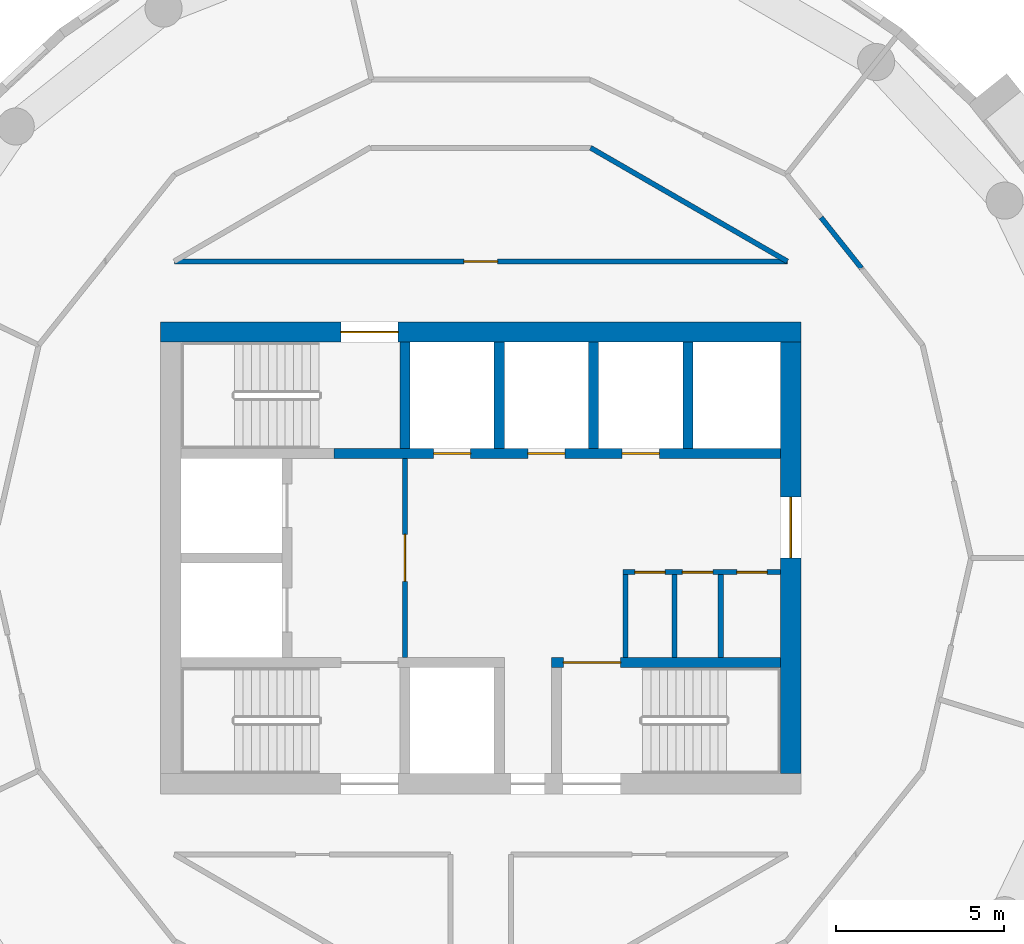
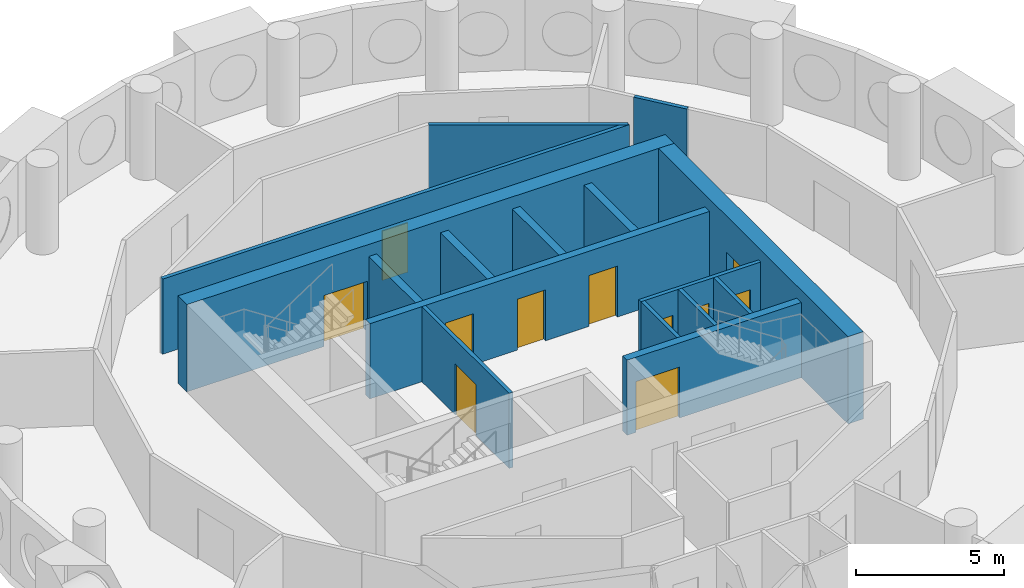
# One storey, part 8 of 13: 16 walls, 11 doors, 11 openings.
"""IFC4 building model written with IfcOpenShell, lengths in metres."""

from ifc_helpers import new_model, si_unit, direction, frame, frame_2d, origin, place, context, subcontext, project, spatial, rectangle, extrude, material, layer, layer_set, type_object, element, fill, save


model = new_model("IFC4")

# Units and contexts
model_context = context("Model", 3, precision=1e-05, world=origin(), true_north=direction((0.0, 1.0)))
body_context = subcontext(model_context, "Body", "Model", "MODEL_VIEW")
ifc_project = project(units=[si_unit("LENGTHUNIT", "METRE"), si_unit("AREAUNIT", "SQUARE_METRE"), si_unit("VOLUMEUNIT", "CUBIC_METRE"), si_unit("PLANEANGLEUNIT", "RADIAN"), si_unit("MASSUNIT", "GRAM", prefix="KILO")], contexts=[model_context])

# Site, building, storey
site_placement = place(None, origin())
site = spatial("IfcSite", under=ifc_project, at=site_placement, CompositionType="ELEMENT")
building_placement = place(site_placement, origin())
building = spatial("IfcBuilding", under=site, at=building_placement, Name="Tracery Tower", CompositionType="ELEMENT")
storey_placement = place(building_placement, frame((0.0, 0.0, 274.199951171875)))
storey = spatial("IfcBuildingStorey", under=building, at=storey_placement, Name="L71", CompositionType="ELEMENT", Elevation=274.199951171875)

# Wall, opening, door
ifc_material_1 = material(Name="Plasterboard on steel studs", Category="steel")
ifc_layer_1 = layer(ifc_material_1, 0.14990234375)
ifc_layer_set_1 = layer_set([ifc_layer_1], Name="Core lobby partition 150")
wall_type_1 = type_object("IfcWallType", Name="Core lobby partition 150", PredefinedType="SOLIDWALL", material=ifc_layer_set_1)
wall_1_placement = place(storey_placement, frame((-2.25, -2.949951171875, 0.0), z_axis=(0.0, 0.0, 1.0), x_axis=(0.0, 1.0, 0.0)))
wall_1 = element("IfcWall", 1, at=wall_1_placement, inside=storey, type_object=wall_type_1, Name="L71 FF lobby E", PredefinedType="SOLIDWALL", context=body_context, shape_type="SweptSolid", body=[
    extrude(rectangle(XDim=5.89990234375, YDim=0.14990234375, at=frame_2d((2.949951171875, 0.0))), origin(), (0.0, 0.0, 1.0), 3.10009765625),
])
opening_1_placement = place(wall_1_placement, frame((2.25, 0.0, 0.0)))
opening_1 = element("IfcOpeningElement", 2, at=opening_1_placement, cuts=wall_1, Name="Opening KD8", PredefinedType="OPENING", context=body_context, shape_type="SweptSolid", body=[
    extrude(rectangle(XDim=1.39990234375, YDim=2.10009765625, at=frame_2d((0.699951171875, 1.050048828125))), frame((0.0, 0.074951171875, 0.0), z_axis=(0.0, -1.0, 0.0), x_axis=(1.0, 0.0, 0.0)), (0.0, 0.0, 1.0), 0.14990234375),
])
ifc_material_2 = material(Name="Steel fire door", Category="steel")
door_type_1 = type_object("IfcDoorType", Name="Core lobby door 1400 double", OperationType="NOTDEFINED", PredefinedType="DOOR", material=ifc_material_2)
door_1_placement = place(opening_1_placement, origin())
door_1 = element("IfcDoor", 3, at=door_1_placement, inside=storey, type_object=door_type_1, Name="Fire-fighting lobby door", OperationType="DOUBLE_DOOR_SINGLE_SWING", OverallHeight=2.10009765625, OverallWidth=1.39990234375, PredefinedType="DOOR", context=body_context, shape_type="SweptSolid", body=[
    extrude(rectangle(XDim=1.39990234375, YDim=2.10009765625, at=frame_2d((0.699951171875, 1.050048828125))), frame((0.0, 0.02490234375, 0.0), z_axis=(0.0, -1.0, 0.0), x_axis=(1.0, 0.0, 0.0)), (0.0, 0.0, 1.0), 0.050048828125),
])
fill(opening_1, door_1)

# Wall
ifc_material_3 = material(Name="Plasterboard on steel studs", Category="steel")
ifc_layer_2 = layer(ifc_material_3, 0.14990234375)
ifc_layer_set_2 = layer_set([ifc_layer_2], Name="Core room partition 150")
wall_type_2 = type_object("IfcWallType", Name="Core room partition 150", PredefinedType="SOLIDWALL", material=ifc_layer_set_2)
wall_2_placement = place(storey_placement, frame((4.300048828125, -2.949951171875, 0.0), z_axis=(0.0, 0.0, 1.0), x_axis=(0.0, 1.0, 0.0)))
element("IfcWall", 4, at=wall_2_placement, inside=storey, type_object=wall_type_2, Name="L71 slot W", PredefinedType="SOLIDWALL", context=body_context, shape_type="SweptSolid", body=[
    extrude(rectangle(XDim=2.449951171875, YDim=0.14990234375, at=frame_2d((1.22509765625, 0.0))), origin(), (0.0, 0.0, 1.0), 3.10009765625),
])

# Wall, openings, doors
wall_3_placement = place(storey_placement, frame((4.22509765625, -0.425048828125, 0.0), z_axis=(0.0, 0.0, 1.0), x_axis=(1.0, 0.0, 0.0)))
wall_3 = element("IfcWall", 5, at=wall_3_placement, inside=storey, type_object=wall_type_2, Name="L71 slot N", PredefinedType="SOLIDWALL", context=body_context, shape_type="SweptSolid", body=[
    extrude(rectangle(XDim=4.6748046875, YDim=0.14990234375, at=frame_2d((2.33740234375, 0.0))), origin(), (0.0, 0.0, 1.0), 3.10009765625),
])
opening_2_placement = place(wall_3_placement, frame((0.35009765625, 0.0, 0.0)))
opening_2 = element("IfcOpeningElement", 6, at=opening_2_placement, cuts=wall_3, Name="Opening KD27", PredefinedType="OPENING", context=body_context, shape_type="SweptSolid", body=[
    extrude(rectangle(XDim=0.89990234375, YDim=2.10009765625, at=frame_2d((0.449951171875, 1.050048828125))), frame((0.0, 0.074951171875, 0.0), z_axis=(0.0, -1.0, 0.0), x_axis=(1.0, 0.0, 0.0)), (0.0, 0.0, 1.0), 0.14990234375),
])
opening_3_placement = place(wall_3_placement, frame((1.762451171875, 0.0, 0.0)))
opening_3 = element("IfcOpeningElement", 7, at=opening_3_placement, cuts=wall_3, Name="Opening KD26", PredefinedType="OPENING", context=body_context, shape_type="SweptSolid", body=[
    extrude(rectangle(XDim=0.89990234375, YDim=2.10009765625, at=frame_2d((0.449951171875, 1.050048828125))), frame((0.0, 0.074951171875, 0.0), z_axis=(0.0, -1.0, 0.0), x_axis=(1.0, 0.0, 0.0)), (0.0, 0.0, 1.0), 0.14990234375),
])
opening_4_placement = place(wall_3_placement, frame((3.375, 0.0, 0.0)))
opening_4 = element("IfcOpeningElement", 8, at=opening_4_placement, cuts=wall_3, Name="Opening KD22", PredefinedType="OPENING", context=body_context, shape_type="SweptSolid", body=[
    extrude(rectangle(XDim=0.89990234375, YDim=2.10009765625, at=frame_2d((0.449951171875, 1.050048828125))), frame((0.0, 0.074951171875, 0.0), z_axis=(0.0, -1.0, 0.0), x_axis=(1.0, 0.0, 0.0)), (0.0, 0.0, 1.0), 0.14990234375),
])
ifc_material_4 = material(Name="Timber door leaf", Category="wood")
door_type_2 = type_object("IfcDoorType", Name="Core WC door 900", OperationType="NOTDEFINED", PredefinedType="DOOR", material=ifc_material_4)
door_2_placement = place(opening_4_placement, origin())
door_2 = element("IfcDoor", 9, at=door_2_placement, inside=storey, type_object=door_type_2, Name="Core door", OperationType="SINGLE_SWING_RIGHT", OverallHeight=2.10009765625, OverallWidth=0.89990234375, PredefinedType="DOOR", context=body_context, shape_type="SweptSolid", body=[
    extrude(rectangle(XDim=0.89990234375, YDim=2.10009765625, at=frame_2d((0.449951171875, 1.050048828125))), frame((0.0, 0.02490234375, 0.0), z_axis=(0.0, -1.0, 0.0), x_axis=(1.0, 0.0, 0.0)), (0.0, 0.0, 1.0), 0.050048828125),
])
fill(opening_4, door_2)
ifc_material_5 = material(Name="Timber door leaf", Category="wood")
door_type_3 = type_object("IfcDoorType", Name="Core store door 900", OperationType="NOTDEFINED", PredefinedType="DOOR", material=ifc_material_5)
door_3_placement = place(opening_2_placement, origin())
door_3 = element("IfcDoor", 10, at=door_3_placement, inside=storey, type_object=door_type_3, Name="Core door", OperationType="SINGLE_SWING_RIGHT", OverallHeight=2.10009765625, OverallWidth=0.89990234375, PredefinedType="DOOR", context=body_context, shape_type="SweptSolid", body=[
    extrude(rectangle(XDim=0.89990234375, YDim=2.10009765625, at=frame_2d((0.449951171875, 1.050048828125))), frame((0.0, 0.02490234375, 0.0), z_axis=(0.0, -1.0, 0.0), x_axis=(1.0, 0.0, 0.0)), (0.0, 0.0, 1.0), 0.050048828125),
])
fill(opening_2, door_3)
door_4_placement = place(opening_3_placement, origin())
door_4 = element("IfcDoor", 11, at=door_4_placement, inside=storey, type_object=door_type_3, Name="Core door", OperationType="SINGLE_SWING_LEFT", OverallHeight=2.10009765625, OverallWidth=0.89990234375, PredefinedType="DOOR", context=body_context, shape_type="SweptSolid", body=[
    extrude(rectangle(XDim=0.89990234375, YDim=2.10009765625, at=frame_2d((0.449951171875, 1.050048828125))), frame((0.0, 0.02490234375, 0.0), z_axis=(0.0, -1.0, 0.0), x_axis=(1.0, 0.0, 0.0)), (0.0, 0.0, 1.0), 0.050048828125),
])
fill(opening_3, door_4)

# Walls
for number, where, z_axis, x_axis, name in (
    (12, (5.75, -2.949951171875, 0.0), (0.0, 0.0, 1.0), (0.0, 1.0, 0.0), "L71 slot sep 1"),
    (13, (7.125, -2.949951171875, 0.0), (0.0, 0.0, 1.0), (0.0, 1.0, 0.0), "L71 slot sep 2"),
):
    element("IfcWall", number, at=place(storey_placement, frame(where, z_axis=z_axis, x_axis=x_axis)), inside=storey, type_object=wall_type_2, Name=name, PredefinedType="SOLIDWALL", context=body_context, shape_type="SweptSolid", body=[
        extrude(rectangle(XDim=2.449951171875, YDim=0.14990234375, at=frame_2d((1.22509765625, 0.0))), origin(), (0.0, 0.0, 1.0), 3.10009765625),
    ])

# Wall, opening, door
ifc_material_6 = material(Name="Concrete C40/50", Category="concrete")
ifc_layer_3 = layer(ifc_material_6, 0.60009765625)
ifc_layer_set_3 = layer_set([ifc_layer_3], Name="Core wall 600 C40")
wall_type_3 = type_object("IfcWallType", Name="Core wall 600 C40", PredefinedType="SOLIDWALL", material=ifc_layer_set_3)
wall_4_placement = place(storey_placement, frame((-9.5, 6.699951171875, 0.0), z_axis=(0.0, 0.0, 1.0), x_axis=(1.0, 0.0, 0.0)))
wall_4 = element("IfcWall", 14, at=wall_4_placement, inside=storey, type_object=wall_type_3, Name="L71 outer N", PredefinedType="SOLIDWALL", context=body_context, shape_type="SweptSolid", body=[
    extrude(rectangle(XDim=19.0, YDim=0.60009765625, at=frame_2d((9.5, 0.0))), origin(), (0.0, 0.0, 1.0), 3.60009765625),
])
opening_5_placement = place(wall_4_placement, frame((5.35009765625, 0.0, 0.0)))
opening_5 = element("IfcOpeningElement", 15, at=opening_5_placement, cuts=wall_4, Name="Opening KD3", PredefinedType="OPENING", context=body_context, shape_type="SweptSolid", body=[
    extrude(rectangle(XDim=1.699951171875, YDim=2.10009765625, at=frame_2d((0.85009765625, 1.050048828125))), frame((0.0, 0.300048828125, 0.0), z_axis=(0.0, -1.0, 0.0), x_axis=(1.0, 0.0, 0.0)), (0.0, 0.0, 1.0), 0.60009765625),
])
ifc_material_7 = material(Name="Steel fire door", Category="steel")
door_type_4 = type_object("IfcDoorType", Name="Core stair door 1700 double", OperationType="NOTDEFINED", PredefinedType="DOOR", material=ifc_material_7)
door_5_placement = place(opening_5_placement, origin())
door_5 = element("IfcDoor", 16, at=door_5_placement, inside=storey, type_object=door_type_4, Name="Stair door ST3 exit", OperationType="DOUBLE_DOOR_SINGLE_SWING", OverallHeight=2.10009765625, OverallWidth=1.699951171875, PredefinedType="DOOR", context=body_context, shape_type="SweptSolid", body=[
    extrude(rectangle(XDim=1.699951171875, YDim=2.10009765625, at=frame_2d((0.85009765625, 1.050048828125))), frame((0.0, 0.02490234375, 0.0), z_axis=(0.0, -1.0, 0.0), x_axis=(1.0, 0.0, 0.0)), (0.0, 0.0, 1.0), 0.050048828125),
])
fill(opening_5, door_5)

wall_5_placement = place(storey_placement, frame((9.199951171875, -6.39990234375, 0.0), z_axis=(0.0, 0.0, 1.0), x_axis=(0.0, 1.0, 0.0)))
wall_5 = element("IfcWall", 17, at=wall_5_placement, inside=storey, type_object=wall_type_3, Name="L71 outer E", PredefinedType="SOLIDWALL", context=body_context, shape_type="SweptSolid", body=[
    extrude(rectangle(XDim=12.7998046875, YDim=0.60009765625, at=frame_2d((6.39990234375, 0.0))), origin(), (0.0, 0.0, 1.0), 3.60009765625),
])
opening_6_placement = place(wall_5_placement, frame((6.39990234375, 0.0, 0.0)))
opening_6 = element("IfcOpeningElement", 18, at=opening_6_placement, cuts=wall_5, Name="Opening KD13", PredefinedType="OPENING", context=body_context, shape_type="SweptSolid", body=[
    extrude(rectangle(XDim=1.800048828125, YDim=2.10009765625, at=frame_2d((0.89990234375, 1.050048828125))), frame((0.0, 0.300048828125, 0.0), z_axis=(0.0, -1.0, 0.0), x_axis=(1.0, 0.0, 0.0)), (0.0, 0.0, 1.0), 0.60009765625),
])
ifc_material_8 = material(Name="Steel fire door", Category="steel")
door_type_5 = type_object("IfcDoorType", Name="Core exit door 1800 double", OperationType="NOTDEFINED", PredefinedType="DOOR", material=ifc_material_8)
door_6_placement = place(opening_6_placement, origin())
door_6 = element("IfcDoor", 19, at=door_6_placement, inside=storey, type_object=door_type_5, Name="Core exit door", OperationType="DOUBLE_DOOR_SINGLE_SWING", OverallHeight=2.10009765625, OverallWidth=1.800048828125, PredefinedType="DOOR", context=body_context, shape_type="SweptSolid", body=[
    extrude(rectangle(XDim=1.800048828125, YDim=2.10009765625, at=frame_2d((0.89990234375, 1.050048828125))), frame((0.0, 0.02490234375, 0.0), z_axis=(0.0, -1.0, 0.0), x_axis=(1.0, 0.0, 0.0)), (0.0, 0.0, 1.0), 0.050048828125),
])
fill(opening_6, door_6)

ifc_material_9 = material(Name="Plasterboard on steel studs", Category="steel")
ifc_layer_4 = layer(ifc_material_9, 0.14990234375)
ifc_layer_set_4 = layer_set([ifc_layer_4], Name="Partition 150 corridor wall")
wall_type_4 = type_object("IfcWallType", Name="Partition 150 corridor wall", PredefinedType="PARTITIONING", material=ifc_layer_set_4)
wall_6_placement = place(storey_placement, frame((-9.092041015625, 8.800048828125, 0.0), z_axis=(0.0, 0.0, 1.0), x_axis=(1.0, 0.0, 0.0)))
wall_6 = element("IfcWall", 20, at=wall_6_placement, inside=storey, type_object=wall_type_4, Name="Corridor wall RC5-002", PredefinedType="PARTITIONING", context=body_context, shape_type="SweptSolid", body=[
    extrude(rectangle(XDim=18.192626953125, YDim=0.14990234375, at=frame_2d((9.09619140625, 0.0))), origin(), (0.0, 0.0, 1.0), 3.10009765625),
])
opening_7_placement = place(wall_6_placement, frame((8.592041015625, 0.0, 0.0)))
opening_7 = element("IfcOpeningElement", 21, at=opening_7_placement, cuts=wall_6, Name="Opening RC5-01", PredefinedType="OPENING", context=body_context, shape_type="SweptSolid", body=[
    extrude(rectangle(XDim=1.0, YDim=2.0400390625, at=frame_2d((0.5, 1.02001953125))), frame((0.0, 0.074951171875, 0.0), z_axis=(0.0, -1.0, 0.0), x_axis=(1.0, 0.0, 0.0)), (0.0, 0.0, 1.0), 0.14990234375),
])
ifc_material_10 = material(Name="Timber door leaf", Category="wood")
door_type_6 = type_object("IfcDoorType", Name="Door communal room 1000", OperationType="NOTDEFINED", PredefinedType="DOOR", material=ifc_material_10)
door_7_placement = place(opening_7_placement, origin())
door_7 = element("IfcDoor", 22, at=door_7_placement, inside=storey, type_object=door_type_6, Name="Communal room door RC5-01", OperationType="SINGLE_SWING_RIGHT", OverallHeight=2.0400390625, OverallWidth=1.0, PredefinedType="DOOR", context=body_context, shape_type="SweptSolid", body=[
    extrude(rectangle(XDim=1.0, YDim=2.0400390625, at=frame_2d((0.5, 1.02001953125))), frame((0.0, 0.02490234375, 0.0), z_axis=(0.0, -1.0, 0.0), x_axis=(1.0, 0.0, 0.0)), (0.0, 0.0, 1.0), 0.050048828125),
])
fill(opening_7, door_7)

# Walls
wall_7_placement = place(storey_placement, frame((10.10107421875, 10.10107421875, 0.0), z_axis=(0.0, 0.0, 1.0), x_axis=(0.623130947784, -0.782117524362, 0.0)))
element("IfcWall", 23, at=wall_7_placement, inside=storey, type_object=wall_type_4, Name="Corridor wall RC5-004", PredefinedType="PARTITIONING", context=body_context, shape_type="SweptSolid", body=[
    extrude(rectangle(XDim=1.924072265625, YDim=0.14990234375, at=frame_2d((0.9619140625, 0.0))), origin(), (0.0, 0.0, 1.0), 3.10009765625),
])
wall_8_placement = place(storey_placement, frame((3.260986328125, 12.1708984375, 0.0), z_axis=(0.0, 0.0, 1.0), x_axis=(0.866066809554, -0.499928276245, 0.0)))
element("IfcWall", 24, at=wall_8_placement, inside=storey, type_object=wall_type_4, Name="Corridor wall RC5-024", PredefinedType="PARTITIONING", context=body_context, shape_type="SweptSolid", body=[
    extrude(rectangle(XDim=6.74267578125, YDim=0.14990234375, at=frame_2d((3.371337890625, 0.0))), origin(), (0.0, 0.0, 1.0), 3.10009765625),
])
ifc_material_11 = material(Name="Concrete C40/50", Category="concrete")
ifc_layer_5 = layer(ifc_material_11, 0.300048828125)
ifc_layer_set_5 = layer_set([ifc_layer_5], Name="Shaft wall 300 C40")
wall_type_5 = type_object("IfcWallType", Name="Shaft wall 300 C40", PredefinedType="SOLIDWALL", material=ifc_layer_set_5)
for number, where, z_axis, x_axis, name in (
    (25, (0.550048828125, 3.25, 0.0), (0.0, 0.0, 1.0), (0.0, 1.0, 0.0), "L71 HR sep 1"),
    (26, (3.35009765625, 3.25, 0.0), (0.0, 0.0, 1.0), (0.0, 1.0, 0.0), "L71 HR sep 2"),
    (27, (6.14990234375, 3.25, 0.0), (0.0, 0.0, 1.0), (0.0, 1.0, 0.0), "L71 HR sep 3"),
):
    element("IfcWall", number, at=place(storey_placement, frame(where, z_axis=z_axis, x_axis=x_axis)), inside=storey, type_object=wall_type_5, Name=name, PredefinedType="SOLIDWALL", context=body_context, shape_type="SweptSolid", body=[
        extrude(rectangle(XDim=3.14990234375, YDim=0.300048828125, at=frame_2d((1.574951171875, 0.0))), origin(), (0.0, 0.0, 1.0), 3.10009765625),
    ])

# Wall, opening, door
ifc_material_12 = material(Name="Concrete C40/50", Category="concrete")
ifc_layer_6 = layer(ifc_material_12, 0.300048828125)
ifc_layer_set_6 = layer_set([ifc_layer_6], Name="Stair wall 300 C40")
wall_type_6 = type_object("IfcWallType", Name="Stair wall 300 C40", PredefinedType="SOLIDWALL", material=ifc_layer_set_6)
wall_9_placement = place(storey_placement, frame((2.10009765625, -3.10009765625, 0.0), z_axis=(0.0, 0.0, 1.0), x_axis=(1.0, 0.0, 0.0)))
wall_9 = element("IfcWall", 28, at=wall_9_placement, inside=storey, type_object=wall_type_6, Name="L71 row S E", PredefinedType="SOLIDWALL", context=body_context, shape_type="SweptSolid", body=[
    extrude(rectangle(XDim=6.7998046875, YDim=0.300048828125, at=frame_2d((3.39990234375, 0.0))), origin(), (0.0, 0.0, 1.0), 3.10009765625),
])
opening_8_placement = place(wall_9_placement, frame((0.35009765625, 0.0, 0.0)))
opening_8 = element("IfcOpeningElement", 29, at=opening_8_placement, cuts=wall_9, Name="Opening KD3", PredefinedType="OPENING", context=body_context, shape_type="SweptSolid", body=[
    extrude(rectangle(XDim=1.699951171875, YDim=2.10009765625, at=frame_2d((0.85009765625, 1.050048828125))), frame((0.0, 0.14990234375, 0.0), z_axis=(0.0, -1.0, 0.0), x_axis=(1.0, 0.0, 0.0)), (0.0, 0.0, 1.0), 0.300048828125),
])
door_8_placement = place(opening_8_placement, origin())
door_8 = element("IfcDoor", 30, at=door_8_placement, inside=storey, type_object=door_type_4, Name="Stair door ST2", OperationType="DOUBLE_DOOR_SINGLE_SWING", OverallHeight=2.10009765625, OverallWidth=1.699951171875, PredefinedType="DOOR", context=body_context, shape_type="SweptSolid", body=[
    extrude(rectangle(XDim=1.699951171875, YDim=2.10009765625, at=frame_2d((0.85009765625, 1.050048828125))), frame((0.0, 0.02490234375, 0.0), z_axis=(0.0, -1.0, 0.0), x_axis=(1.0, 0.0, 0.0)), (0.0, 0.0, 1.0), 0.050048828125),
])
fill(opening_8, door_8)

# Wall, openings, doors
wall_10_placement = place(storey_placement, frame((-4.35009765625, 3.10009765625, 0.0), z_axis=(0.0, 0.0, 1.0), x_axis=(1.0, 0.0, 0.0)))
wall_10 = element("IfcWall", 31, at=wall_10_placement, inside=storey, type_object=wall_type_6, Name="L71 row N", PredefinedType="SOLIDWALL", context=body_context, shape_type="SweptSolid", body=[
    extrude(rectangle(XDim=13.25, YDim=0.300048828125, at=frame_2d((6.625, 0.0))), origin(), (0.0, 0.0, 1.0), 3.10009765625),
])
opening_9_placement = place(wall_10_placement, frame((2.949951171875, 0.0, 0.0)))
opening_9 = element("IfcOpeningElement", 32, at=opening_9_placement, cuts=wall_10, Name="Opening KD49", PredefinedType="OPENING", context=body_context, shape_type="SweptSolid", body=[
    extrude(rectangle(XDim=1.10009765625, YDim=2.10009765625, at=frame_2d((0.550048828125, 1.050048828125))), frame((0.0, 0.14990234375, 0.0), z_axis=(0.0, -1.0, 0.0), x_axis=(1.0, 0.0, 0.0)), (0.0, 0.0, 1.0), 0.300048828125),
])
opening_10_placement = place(wall_10_placement, frame((5.75, 0.0, 0.0)))
opening_10 = element("IfcOpeningElement", 33, at=opening_10_placement, cuts=wall_10, Name="Opening KD50", PredefinedType="OPENING", context=body_context, shape_type="SweptSolid", body=[
    extrude(rectangle(XDim=1.10009765625, YDim=2.10009765625, at=frame_2d((0.550048828125, 1.050048828125))), frame((0.0, 0.14990234375, 0.0), z_axis=(0.0, -1.0, 0.0), x_axis=(1.0, 0.0, 0.0)), (0.0, 0.0, 1.0), 0.300048828125),
])
opening_11_placement = place(wall_10_placement, frame((8.550048828125, 0.0, 0.0)))
opening_11 = element("IfcOpeningElement", 34, at=opening_11_placement, cuts=wall_10, Name="Opening KD49", PredefinedType="OPENING", context=body_context, shape_type="SweptSolid", body=[
    extrude(rectangle(XDim=1.10009765625, YDim=2.10009765625, at=frame_2d((0.550048828125, 1.050048828125))), frame((0.0, 0.14990234375, 0.0), z_axis=(0.0, -1.0, 0.0), x_axis=(1.0, 0.0, 0.0)), (0.0, 0.0, 1.0), 0.300048828125),
])
ifc_material_13 = material(Name="Steel fire door", Category="steel")
door_type_7 = type_object("IfcDoorType", Name="Landing door 1100", OperationType="NOTDEFINED", PredefinedType="DOOR", material=ifc_material_13)
door_9_placement = place(opening_9_placement, origin())
door_9 = element("IfcDoor", 35, at=door_9_placement, inside=storey, type_object=door_type_7, Name="Landing door HR1", OperationType="SLIDING_TO_LEFT", OverallHeight=2.10009765625, OverallWidth=1.10009765625, PredefinedType="DOOR", context=body_context, shape_type="SweptSolid", body=[
    extrude(rectangle(XDim=1.10009765625, YDim=2.10009765625, at=frame_2d((0.550048828125, 1.050048828125))), frame((0.0, 0.02490234375, 0.0), z_axis=(0.0, -1.0, 0.0), x_axis=(1.0, 0.0, 0.0)), (0.0, 0.0, 1.0), 0.050048828125),
])
fill(opening_9, door_9)
door_10_placement = place(opening_10_placement, origin())
door_10 = element("IfcDoor", 36, at=door_10_placement, inside=storey, type_object=door_type_7, Name="Landing door HR2", OperationType="SLIDING_TO_RIGHT", OverallHeight=2.10009765625, OverallWidth=1.10009765625, PredefinedType="DOOR", context=body_context, shape_type="SweptSolid", body=[
    extrude(rectangle(XDim=1.10009765625, YDim=2.10009765625, at=frame_2d((0.550048828125, 1.050048828125))), frame((0.0, 0.02490234375, 0.0), z_axis=(0.0, -1.0, 0.0), x_axis=(1.0, 0.0, 0.0)), (0.0, 0.0, 1.0), 0.050048828125),
])
fill(opening_10, door_10)
door_11_placement = place(opening_11_placement, origin())
door_11 = element("IfcDoor", 37, at=door_11_placement, inside=storey, type_object=door_type_7, Name="Landing door HR3", OperationType="SLIDING_TO_LEFT", OverallHeight=2.10009765625, OverallWidth=1.10009765625, PredefinedType="DOOR", context=body_context, shape_type="SweptSolid", body=[
    extrude(rectangle(XDim=1.10009765625, YDim=2.10009765625, at=frame_2d((0.550048828125, 1.050048828125))), frame((0.0, 0.02490234375, 0.0), z_axis=(0.0, -1.0, 0.0), x_axis=(1.0, 0.0, 0.0)), (0.0, 0.0, 1.0), 0.050048828125),
])
fill(opening_11, door_11)

# Wall
wall_11_placement = place(storey_placement, frame((-2.25, 3.25, 0.0), z_axis=(0.0, 0.0, 1.0), x_axis=(0.0, 1.0, 0.0)))
element("IfcWall", 38, at=wall_11_placement, inside=storey, type_object=wall_type_6, Name="L71 ST3 E", PredefinedType="SOLIDWALL", context=body_context, shape_type="SweptSolid", body=[
    extrude(rectangle(XDim=3.14990234375, YDim=0.300048828125, at=frame_2d((1.574951171875, 0.0))), origin(), (0.0, 0.0, 1.0), 3.10009765625),
])

save(model, "model.ifc")
